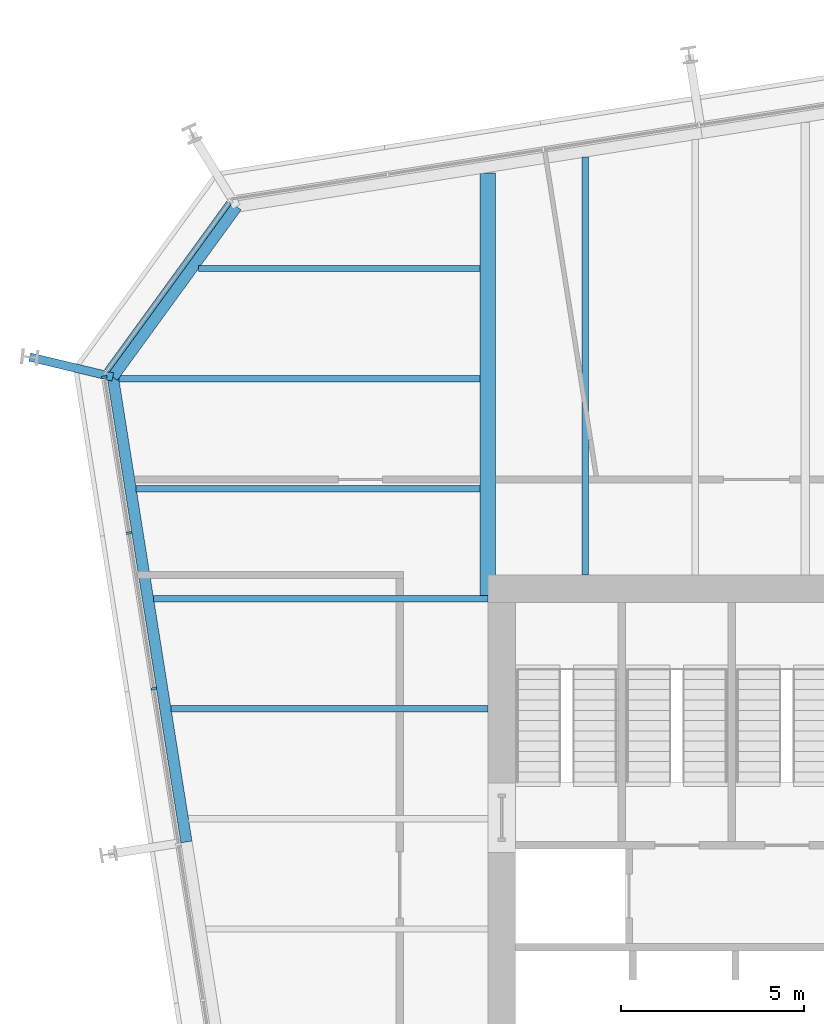
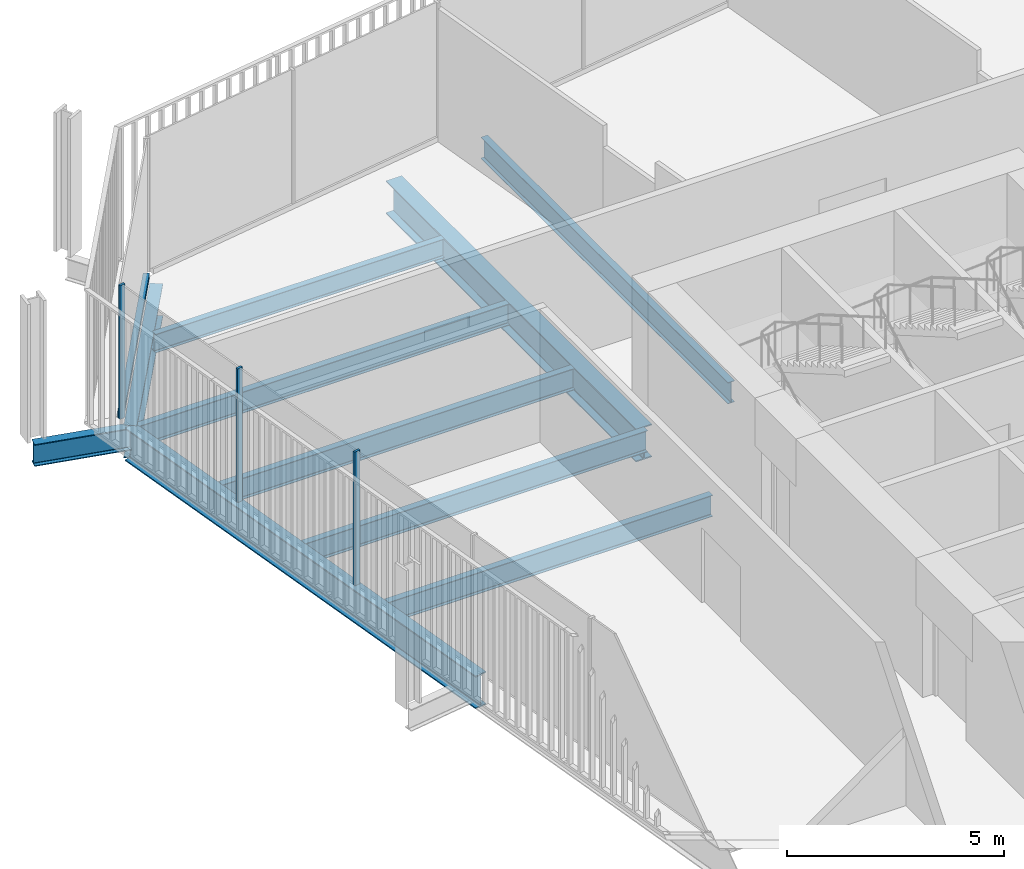
# One storey, part 10 of 21: 10 beams, 4 members, 2 elements without a shape of their own.
"""IFC4 building model written with IfcOpenShell, lengths in metres."""

from ifc_helpers import new_model, si_unit, direction, frame, origin, origin_2d, place, context, subcontext, project, spatial, rectangle, i_section, extrude, material, layer, layer_set, material_profile, profile_set, type_object, element, aggregate, save


model = new_model("IFC4")

# Units and contexts
model_context = context("Model", 3, precision=1e-05, world=origin(), true_north=direction((0.0, 1.0)))
body_context = subcontext(model_context, "Body", "Model", "MODEL_VIEW")
ifc_project = project(units=[si_unit("LENGTHUNIT", "METRE"), si_unit("AREAUNIT", "SQUARE_METRE"), si_unit("VOLUMEUNIT", "CUBIC_METRE"), si_unit("PLANEANGLEUNIT", "RADIAN"), si_unit("MASSUNIT", "GRAM", prefix="KILO")], contexts=[model_context])

# Site, building, storey
site_placement = place(None, origin())
site = spatial("IfcSite", under=ifc_project, at=site_placement, CompositionType="ELEMENT")
building_placement = place(site_placement, origin())
building = spatial("IfcBuilding", under=site, at=building_placement, Name="Millrace Tower", CompositionType="ELEMENT")
storey_placement = place(building_placement, frame((0.0, 0.0, 156.800048828125)))
storey = spatial("IfcBuildingStorey", under=building, at=storey_placement, Name="L35", CompositionType="ELEMENT", Elevation=156.800048828125)

# Curtain wall, members
ifc_material_1 = material(Name="Aluminium and glass", Category="aluminium")
ifc_layer = layer(ifc_material_1, 0.14990234375)
ifc_layer_set = layer_set([ifc_layer], Name="Aluminium and glass")
curtain_wall_type = type_object("IfcCurtainWallType", Name="CW-1 office vision curtain wall", PredefinedType="NOTDEFINED", material=ifc_layer_set)
placement = place(storey_placement, origin())
curtain_wall_1 = element("IfcCurtainWall", 1, at=placement, inside=storey, type_object=curtain_wall_type, Name="Curtain wall C-F08 L35", PredefinedType="NOTDEFINED")
ifc_material_2 = material(Name="Aluminium", Category="aluminium")
ifc_material_profile_1 = material_profile(ifc_material_2, rectangle(XDim=0.06494140625, YDim=0.14990234375, at=origin_2d()))
ifc_profile_set_1 = profile_set([ifc_material_profile_1], Name="Aluminium")
member_type_1 = type_object("IfcMemberType", Name="CW-1 office vision curtain wall mullion", PredefinedType="MULLION", material=ifc_profile_set_1)
member_1_placement = place(storey_placement, frame((-25.106689453125, 15.041748046875, 0.139892578125), z_axis=(0.0, 0.0, 1.0), x_axis=(0.15643447328, -0.98768833929, 0.0)))
member_1 = element("IfcMember", 2, at=member_1_placement, type_object=member_type_1, Name="CW1 mullion C-F08.1", PredefinedType="MULLION", context=body_context, shape_type="SweptSolid", body=[
    extrude(rectangle(XDim=0.06494140625, YDim=0.14990234375, at=origin_2d()), origin(), (0.0, 0.0, 1.0), 3.760009765625),
])
member_2_placement = place(storey_placement, frame((-24.43408203125, 10.794677734375, 0.139892578125), z_axis=(0.0, 0.0, 1.0), x_axis=(0.15643447328, -0.98768833929, 0.0)))
member_2 = element("IfcMember", 3, at=member_2_placement, type_object=member_type_1, Name="CW1 mullion C-F08.2", PredefinedType="MULLION", context=body_context, shape_type="SweptSolid", body=[
    extrude(rectangle(XDim=0.06494140625, YDim=0.14990234375, at=origin_2d()), origin(), (0.0, 0.0, 1.0), 3.760009765625),
])
member_3_placement = place(storey_placement, frame((-23.76123046875, 6.547607421875, 0.139892578125), z_axis=(0.0, 0.0, 1.0), x_axis=(0.15643447328, -0.98768833929, 0.0)))
member_3 = element("IfcMember", 4, at=member_3_placement, type_object=member_type_1, Name="CW1 mullion C-F08.3", PredefinedType="MULLION", context=body_context, shape_type="SweptSolid", body=[
    extrude(rectangle(XDim=0.06494140625, YDim=0.14990234375, at=origin_2d()), origin(), (0.0, 0.0, 1.0), 3.760009765625),
])
aggregate(curtain_wall_1, [member_1, member_2, member_3])

# Curtain wall, member
curtain_wall_2 = element("IfcCurtainWall", 5, at=placement, inside=storey, type_object=curtain_wall_type, Name="Curtain wall C-F07 L35", PredefinedType="NOTDEFINED")
ifc_material_3 = material(Name="Aluminium", Category="aluminium")
ifc_material_profile_2 = material_profile(ifc_material_3, rectangle(XDim=0.14990234375, YDim=0.139892578125, at=origin_2d()))
ifc_profile_set_2 = profile_set([ifc_material_profile_2], Name="Aluminium")
member_type_2 = type_object("IfcMemberType", Name="CW-1 office vision curtain wall transom", PredefinedType="USERDEFINED", material=ifc_profile_set_2)
member_4_placement = place(storey_placement, frame((-21.70751953125, 19.796875, 0.070068359375), z_axis=(-0.587761915215, -0.80903394924, 0.0), x_axis=(0.80903394924, -0.587761915215, 0.0)))
member_4 = element("IfcMember", 6, at=member_4_placement, type_object=member_type_2, Name="CW1 transom C-F07.1", ObjectType="TRANSOM", PredefinedType="USERDEFINED", context=body_context, shape_type="SweptSolid", body=[
    extrude(rectangle(XDim=0.14990234375, YDim=0.139892578125, at=origin_2d()), origin(), (0.0, 0.0, 1.0), 5.6689453125),
])
aggregate(curtain_wall_2, [member_4])

# Beams
ifc_material_4 = material(Name="Steel ASTM A992 Grade 50", Category="steel")
ifc_material_profile_3 = material_profile(ifc_material_4, i_section(OverallWidth=0.1650390625, OverallDepth=0.52587890625, WebThickness=0.0087890625, FlangeThickness=0.011474609375, FilletRadius=0.0126953125, at=origin_2d()))
ifc_profile_set_3 = profile_set([ifc_material_profile_3], Name="Steel ASTM A992 Grade 50")
beam_type_1 = type_object("IfcBeamType", Name="Floor beam W21x44", PredefinedType="JOIST", material=ifc_profile_set_3)
beam_1_placement = place(storey_placement, frame((-22.540283203125, 18.0, -0.4228515625), z_axis=(1.0, 0.0, 0.0), x_axis=(0.0, 1.0, 0.0)))
element("IfcBeam", 7, at=beam_1_placement, inside=storey, type_object=beam_type_1, Name="BM-C-L35-S1-S035", PredefinedType="JOIST", context=body_context, shape_type="SweptSolid", body=[
    extrude(i_section(OverallWidth=0.1650390625, OverallDepth=0.52587890625, WebThickness=0.0087890625, FlangeThickness=0.011474609375, FilletRadius=0.0126953125, at=origin_2d()), origin(), (0.0, 0.0, 1.0), 7.6806640625),
])
ifc_material_5 = material(Name="Steel ASTM A992 Grade 50", Category="steel")
ifc_material_profile_4 = material_profile(ifc_material_5, i_section(OverallWidth=0.177978515625, OverallDepth=0.599365234375, WebThickness=0.010009765625, FlangeThickness=0.012939453125, FilletRadius=0.012939453125, at=origin_2d()))
ifc_profile_set_4 = profile_set([ifc_material_profile_4], Name="Steel ASTM A992 Grade 50")
beam_type_2 = type_object("IfcBeamType", Name="Floor beam W24x55", PredefinedType="JOIST", material=ifc_profile_set_4)
beam_2_placement = place(storey_placement, frame((-23.28759765625, 6.0, -0.459716796875), z_axis=(1.0, 0.0, 0.0), x_axis=(0.0, 1.0, 0.0)))
element("IfcBeam", 8, at=beam_2_placement, inside=storey, type_object=beam_type_2, Name="BM-C-L35-S1-S026", PredefinedType="JOIST", context=body_context, shape_type="SweptSolid", body=[
    extrude(i_section(OverallWidth=0.177978515625, OverallDepth=0.599365234375, WebThickness=0.010009765625, FlangeThickness=0.012939453125, FilletRadius=0.012939453125, at=origin_2d()), origin(), (0.0, 0.0, 1.0), 8.6376953125),
])
beam_3_placement = place(storey_placement, frame((-23.7626953125, 9.0, -0.459716796875), z_axis=(1.0, 0.0, 0.0), x_axis=(0.0, 1.0, 0.0)))
element("IfcBeam", 9, at=beam_3_placement, inside=storey, type_object=beam_type_2, Name="BM-C-L35-S1-S029", PredefinedType="JOIST", context=body_context, shape_type="SweptSolid", body=[
    extrude(i_section(OverallWidth=0.177978515625, OverallDepth=0.599365234375, WebThickness=0.010009765625, FlangeThickness=0.012939453125, FilletRadius=0.012939453125, at=origin_2d()), origin(), (0.0, 0.0, 1.0), 9.11279296875),
])
beam_4_placement = place(storey_placement, frame((-24.23779296875, 12.0, -0.459716796875), z_axis=(1.0, 0.0, 0.0), x_axis=(0.0, 1.0, 0.0)))
element("IfcBeam", 10, at=beam_4_placement, inside=storey, type_object=beam_type_2, Name="BM-C-L35-S1-S031", PredefinedType="JOIST", context=body_context, shape_type="SweptSolid", body=[
    extrude(i_section(OverallWidth=0.177978515625, OverallDepth=0.599365234375, WebThickness=0.010009765625, FlangeThickness=0.012939453125, FilletRadius=0.012939453125, at=origin_2d()), origin(), (0.0, 0.0, 1.0), 9.378173828125),
])
beam_5_placement = place(storey_placement, frame((-24.712890625, 15.0, -0.459716796875), z_axis=(1.0, 0.0, 0.0), x_axis=(0.0, 1.0, 0.0)))
element("IfcBeam", 11, at=beam_5_placement, inside=storey, type_object=beam_type_2, Name="BM-C-L35-S1-S033", PredefinedType="JOIST", context=body_context, shape_type="SweptSolid", body=[
    extrude(i_section(OverallWidth=0.177978515625, OverallDepth=0.599365234375, WebThickness=0.010009765625, FlangeThickness=0.012939453125, FilletRadius=0.012939453125, at=origin_2d()), origin(), (0.0, 0.0, 1.0), 9.853271484375),
])
ifc_material_6 = material(Name="Steel ASTM A992 Grade 50", Category="steel")
ifc_material_profile_5 = material_profile(ifc_material_6, i_section(OverallWidth=0.1787109375, OverallDepth=0.60205078125, WebThickness=0.010986328125, FlangeThickness=0.014892578125, FilletRadius=0.0126953125, at=origin_2d()))
ifc_profile_set_5 = profile_set([ifc_material_profile_5], Name="Steel ASTM A992 Grade 50")
beam_type_3 = type_object("IfcBeamType", Name="Floor beam W24x62", PredefinedType="JOIST", material=ifc_profile_set_5)
beam_6_placement = place(storey_placement, frame((-12.0, 9.64990234375, -0.4609375), z_axis=(0.0, 1.0, 0.0), x_axis=(-1.0, 0.0, 0.0)))
element("IfcBeam", 12, at=beam_6_placement, inside=storey, type_object=beam_type_3, Name="BM-C-L35-S1-S039", PredefinedType="JOIST", context=body_context, shape_type="SweptSolid", body=[
    extrude(i_section(OverallWidth=0.1787109375, OverallDepth=0.60205078125, WebThickness=0.010986328125, FlangeThickness=0.014892578125, FilletRadius=0.0126953125, at=origin_2d()), origin(), (0.0, 0.0, 1.0), 11.39111328125),
])
ifc_material_7 = material(Name="Steel ASTM A992 Grade 50", Category="steel")
ifc_material_profile_6 = material_profile(ifc_material_7, i_section(OverallWidth=0.419189453125, OverallDepth=0.927001953125, WebThickness=0.019287109375, FlangeThickness=0.031982421875, FilletRadius=0.024169921875, at=origin_2d()))
ifc_profile_set_6 = profile_set([ifc_material_profile_6], Name="Steel ASTM A992 Grade 50")
beam_type_4 = type_object("IfcBeamType", Name="Girder short span W36x231", PredefinedType="BEAM", material=ifc_profile_set_6)
beam_7_placement = place(storey_placement, frame((-14.64990234375, 9.090087890625, -0.62353515625), z_axis=(0.0, 1.0, 0.0), x_axis=(-1.0, 0.0, 0.0)))
element("IfcBeam", 13, at=beam_7_placement, inside=storey, type_object=beam_type_4, Name="BM-C-L35-S1-G057", PredefinedType="BEAM", context=body_context, shape_type="SweptSolid", body=[
    extrude(i_section(OverallWidth=0.419189453125, OverallDepth=0.927001953125, WebThickness=0.019287109375, FlangeThickness=0.031982421875, FilletRadius=0.024169921875, at=origin_2d()), origin(), (0.0, 0.0, 1.0), 11.523193359375),
])
ifc_material_8 = material(Name="Steel ASTM A992 Grade 50", Category="steel")
ifc_material_profile_7 = material_profile(ifc_material_8, i_section(OverallWidth=0.23046875, OverallDepth=0.6171875, WebThickness=0.01318359375, FlangeThickness=0.022216796875, FilletRadius=0.012939453125, at=origin_2d()))
ifc_profile_set_7 = profile_set([ifc_material_profile_7], Name="Steel ASTM A992 Grade 50")
beam_type_5 = type_object("IfcBeamType", Name="Link beam W24x94", PredefinedType="BEAM", material=ifc_profile_set_7)
beam_8_placement = place(storey_placement, frame((-24.8759765625, 15.046630859375, -0.46875), z_axis=(-0.972367333652, 0.233456138164, 0.0), x_axis=(-0.233456138164, -0.972367333652, 0.0)))
element("IfcBeam", 14, at=beam_8_placement, inside=storey, type_object=beam_type_5, Name="LNK-C-L35-S1-04", PredefinedType="BEAM", context=body_context, shape_type="SweptSolid", body=[
    extrude(i_section(OverallWidth=0.23046875, OverallDepth=0.6171875, WebThickness=0.01318359375, FlangeThickness=0.022216796875, FilletRadius=0.012939453125, at=origin_2d()), origin(), (0.0, 0.0, 1.0), 2.3310546875),
])
ifc_material_9 = material(Name="Steel ASTM A992 Grade 50", Category="steel")
ifc_material_profile_8 = material_profile(ifc_material_9, i_section(OverallWidth=0.307373046875, OverallDepth=0.927001953125, WebThickness=0.01953125, FlangeThickness=0.031982421875, FilletRadius=0.01904296875, at=origin_2d()))
ifc_profile_set_8 = profile_set([ifc_material_profile_8], Name="Steel ASTM A992 Grade 50")
beam_type_6 = type_object("IfcBeamType", Name="Ring beam medium span W36x194", PredefinedType="SPANDREL", material=ifc_profile_set_8)
beam_9_placement = place(storey_placement, frame((-22.867919921875, 2.368408203125, -0.62353515625), z_axis=(-0.156436246498, 0.987688058438, 0.0), x_axis=(-0.987688058438, -0.156436246498, 0.0)))
element("IfcBeam", 15, at=beam_9_placement, inside=storey, type_object=beam_type_6, Name="RNG-C-L35-S1-03", PredefinedType="SPANDREL", context=body_context, shape_type="SweptSolid", body=[
    extrude(i_section(OverallWidth=0.307373046875, OverallDepth=0.927001953125, WebThickness=0.01953125, FlangeThickness=0.031982421875, FilletRadius=0.01904296875, at=origin_2d()), origin(), (0.0, 0.0, 1.0), 12.836181640625),
])
ifc_material_10 = material(Name="Steel ASTM A992 Grade 50", Category="steel")
ifc_material_profile_9 = material_profile(ifc_material_10, i_section(OverallWidth=0.307373046875, OverallDepth=0.927001953125, WebThickness=0.01953125, FlangeThickness=0.031982421875, FilletRadius=0.01904296875, at=origin_2d()))
ifc_profile_set_9 = profile_set([ifc_material_profile_9], Name="Steel ASTM A992 Grade 50")
beam_type_7 = type_object("IfcBeamType", Name="Ring beam short span W36x194", PredefinedType="SPANDREL", material=ifc_profile_set_9)
beam_10_placement = place(storey_placement, frame((-24.8759765625, 15.046630859375, -0.62353515625), z_axis=(0.587787348381, 0.809015471473, 0.0), x_axis=(-0.809015471473, 0.587787348381, 0.0)))
element("IfcBeam", 16, at=beam_10_placement, inside=storey, type_object=beam_type_7, Name="RNG-C-L35-S1-04", PredefinedType="SPANDREL", context=body_context, shape_type="SweptSolid", body=[
    extrude(i_section(OverallWidth=0.307373046875, OverallDepth=0.927001953125, WebThickness=0.01953125, FlangeThickness=0.031982421875, FilletRadius=0.01904296875, at=origin_2d()), origin(), (0.0, 0.0, 1.0), 5.741943359375),
])

save(model, "model.ifc")
